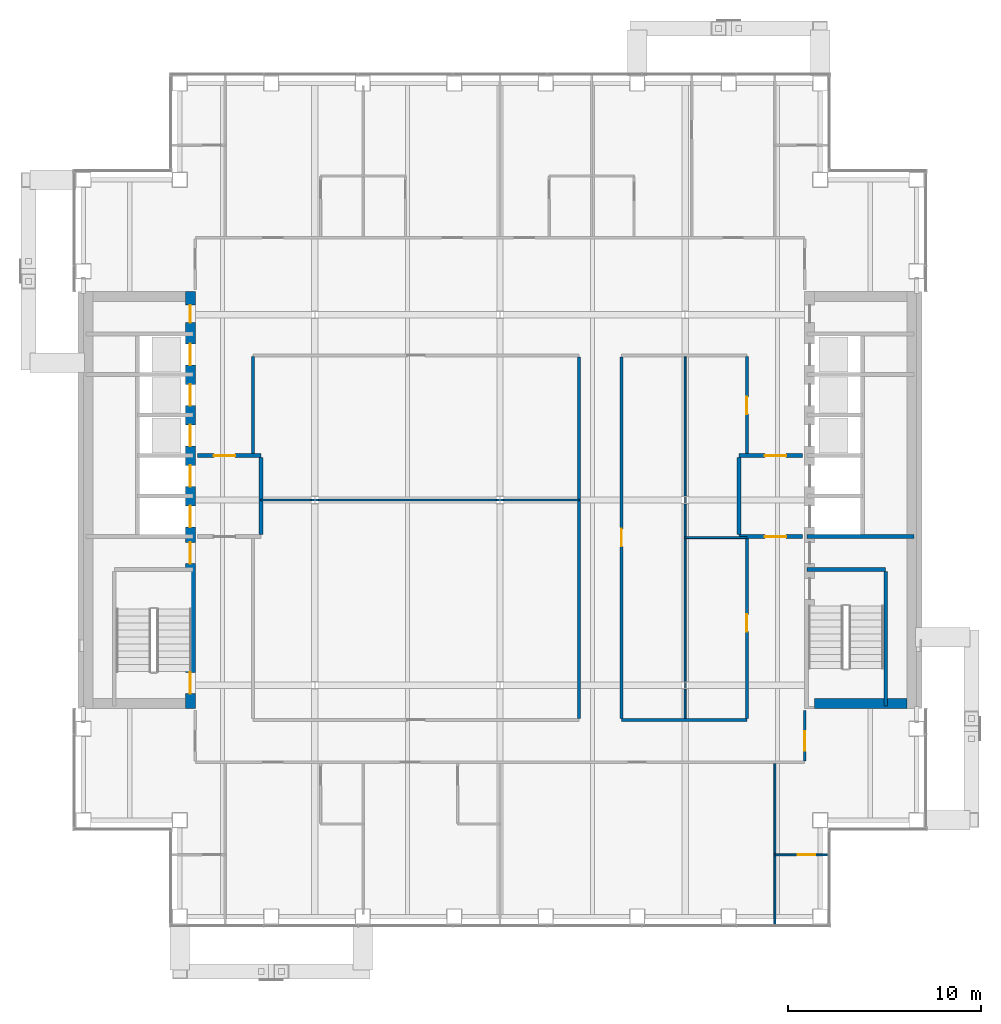
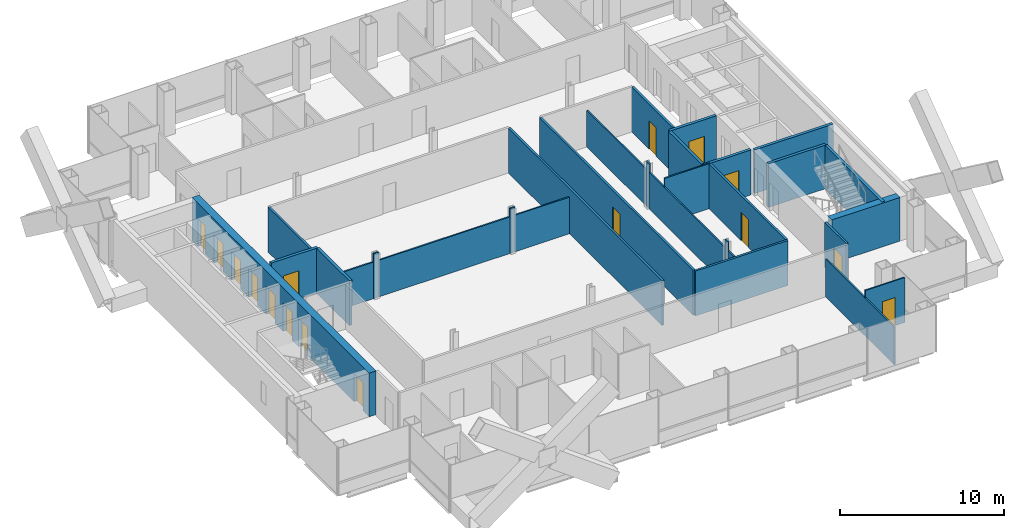
# One storey, part 10 of 14: 30 walls, 16 doors, 16 openings.
"""IFC4 building model written with IfcOpenShell, lengths in metres."""

from ifc_helpers import new_model, si_unit, direction, frame, frame_2d, origin, place, context, subcontext, project, spatial, rectangle, extrude, material, layer, layer_set, type_object, element, fill, save


model = new_model("IFC4")

# Units and contexts
model_context = context("Model", 3, precision=1e-05, world=origin(), true_north=direction((0.0, 1.0)))
body_context = subcontext(model_context, "Body", "Model", "MODEL_VIEW")
ifc_project = project(units=[si_unit("LENGTHUNIT", "METRE"), si_unit("AREAUNIT", "SQUARE_METRE"), si_unit("VOLUMEUNIT", "CUBIC_METRE"), si_unit("PLANEANGLEUNIT", "RADIAN"), si_unit("MASSUNIT", "GRAM", prefix="KILO")], contexts=[model_context])

# Site, building, storey
site_placement = place(None, origin())
site = spatial("IfcSite", under=ifc_project, at=site_placement, CompositionType="ELEMENT")
building_placement = place(site_placement, origin())
building = spatial("IfcBuilding", under=site, at=building_placement, Name="Cobrizo Arcos Hotel Tower", CompositionType="ELEMENT")
storey_placement = place(building_placement, frame((0.0, 0.0, 179.5)))
storey = spatial("IfcBuildingStorey", under=building, at=storey_placement, Name="L46", CompositionType="ELEMENT", Elevation=179.5)

# Walls
ifc_material_1 = material(Name="Gypsum board partition")
ifc_layer_1 = layer(ifc_material_1, 0.14990234375)
ifc_layer_set_1 = layer_set([ifc_layer_1], Name="Corridor wall EI 60 150")
wall_type_1 = type_object("IfcWallType", Name="Corridor wall EI 60 150", PredefinedType="PARTITIONING", material=ifc_layer_set_1)
wall_1_placement = place(storey_placement, frame((6.300048828125, -11.39990234375, 0.0), z_axis=(0.0, 0.0, 1.0), x_axis=(1.0, 0.0, 0.0)))
element("IfcWall", 1, at=wall_1_placement, inside=storey, type_object=wall_type_1, Name="Partition 007", PredefinedType="PARTITIONING", context=body_context, shape_type="SweptSolid", body=[
    extrude(rectangle(XDim=6.5, YDim=0.14990234375, at=frame_2d((3.25, 0.0))), origin(), (0.0, 0.0, 1.0), 3.35009765625),
])
wall_2_placement = place(storey_placement, frame((-12.800048828125, 2.39990234375, 0.0), z_axis=(0.0, 0.0, 1.0), x_axis=(0.0, 1.0, 0.0)))
element("IfcWall", 2, at=wall_2_placement, inside=storey, type_object=wall_type_1, Name="Partition 048", PredefinedType="PARTITIONING", context=body_context, shape_type="SweptSolid", body=[
    extrude(rectangle(XDim=5.050048828125, YDim=0.14990234375, at=frame_2d((2.52490234375, 0.0))), origin(), (0.0, 0.0, 1.0), 3.35009765625),
])
wall_3_placement = place(storey_placement, frame((4.10009765625, -11.324951171875, 0.0), z_axis=(0.0, 0.0, 1.0), x_axis=(0.0, 1.0, 0.0)))
element("IfcWall", 3, at=wall_3_placement, inside=storey, type_object=wall_type_1, Name="Partition 060", PredefinedType="PARTITIONING", context=body_context, shape_type="SweptSolid", body=[
    extrude(rectangle(XDim=18.75, YDim=0.14990234375, at=frame_2d((9.375, 0.0))), origin(), (0.0, 0.0, 1.0), 3.35009765625),
])

# Wall, opening, door
wall_4_placement = place(storey_placement, frame((6.300048828125, -11.324951171875, 0.0), z_axis=(0.0, 0.0, 1.0), x_axis=(0.0, 1.0, 0.0)))
wall_4 = element("IfcWall", 4, at=wall_4_placement, inside=storey, type_object=wall_type_1, Name="Partition 063", PredefinedType="PARTITIONING", context=body_context, shape_type="SweptSolid", body=[
    extrude(rectangle(XDim=18.75, YDim=0.14990234375, at=frame_2d((9.375, 0.0))), origin(), (0.0, 0.0, 1.0), 3.35009765625),
])
opening_1_placement = place(wall_4_placement, frame((8.925048828125, 0.0, 0.0)))
opening_1 = element("IfcOpeningElement", 5, at=opening_1_placement, cuts=wall_4, Name="Opening RD-05", PredefinedType="OPENING", context=body_context, shape_type="SweptSolid", body=[
    extrude(rectangle(XDim=0.89990234375, YDim=2.10009765625, at=frame_2d((0.449951171875, 1.050048828125))), frame((0.0, 0.0869140625, 0.0), z_axis=(0.0, -1.0, 0.0), x_axis=(1.0, 0.0, 0.0)), (0.0, 0.0, 1.0), 0.173828125),
])
ifc_material_2 = material(Name="Timber door leaf", Category="wood")
door_type_1 = type_object("IfcDoorType", Name="Room door FD30 900x2100", OperationType="SINGLE_SWING_LEFT", PredefinedType="DOOR", material=ifc_material_2)
door_1_placement = place(opening_1_placement, origin())
door_1 = element("IfcDoor", 6, at=door_1_placement, inside=storey, type_object=door_type_1, Name="Door RD-05", OperationType="SINGLE_SWING_RIGHT", OverallHeight=2.10009765625, OverallWidth=0.89990234375, PredefinedType="DOOR", context=body_context, shape_type="SweptSolid", body=[
    extrude(rectangle(XDim=0.89990234375, YDim=2.10009765625, at=frame_2d((0.449951171875, 1.050048828125))), frame((0.0, 0.02490234375, 0.0), z_axis=(0.0, -1.0, 0.0), x_axis=(1.0, 0.0, 0.0)), (0.0, 0.0, 1.0), 0.050048828125),
])
fill(opening_1, door_1)

wall_5_placement = place(storey_placement, frame((12.800048828125, -11.324951171875, 0.0), z_axis=(0.0, 0.0, 1.0), x_axis=(0.0, 1.0, 0.0)))
wall_5 = element("IfcWall", 7, at=wall_5_placement, inside=storey, type_object=wall_type_1, Name="Partition 072", PredefinedType="PARTITIONING", context=body_context, shape_type="SweptSolid", body=[
    extrude(rectangle(XDim=9.324951171875, YDim=0.14990234375, at=frame_2d((4.66259765625, 0.0))), origin(), (0.0, 0.0, 1.0), 3.35009765625),
])
opening_2_placement = place(wall_5_placement, frame((4.5, 0.0, 0.0)))
opening_2 = element("IfcOpeningElement", 8, at=opening_2_placement, cuts=wall_5, Name="Opening ED-11", PredefinedType="OPENING", context=body_context, shape_type="SweptSolid", body=[
    extrude(rectangle(XDim=0.89990234375, YDim=2.10009765625, at=frame_2d((0.449951171875, 1.050048828125))), frame((0.0, 0.0869140625, 0.0), z_axis=(0.0, -1.0, 0.0), x_axis=(1.0, 0.0, 0.0)), (0.0, 0.0, 1.0), 0.173828125),
])
door_type_2 = type_object("IfcDoorType", Name="En-suite door 900x2100", OperationType="SINGLE_SWING_LEFT", PredefinedType="DOOR", material=ifc_material_2)
door_2_placement = place(opening_2_placement, origin())
door_2 = element("IfcDoor", 9, at=door_2_placement, inside=storey, type_object=door_type_2, Name="Door ED-11", OperationType="SINGLE_SWING_LEFT", OverallHeight=2.10009765625, OverallWidth=0.89990234375, PredefinedType="DOOR", context=body_context, shape_type="SweptSolid", body=[
    extrude(rectangle(XDim=0.89990234375, YDim=2.10009765625, at=frame_2d((0.449951171875, 1.050048828125))), frame((0.0, 0.02490234375, 0.0), z_axis=(0.0, -1.0, 0.0), x_axis=(1.0, 0.0, 0.0)), (0.0, 0.0, 1.0), 0.050048828125),
])
fill(opening_2, door_2)

wall_6_placement = place(storey_placement, frame((12.800048828125, 2.39990234375, 0.0), z_axis=(0.0, 0.0, 1.0), x_axis=(0.0, 1.0, 0.0)))
wall_6 = element("IfcWall", 10, at=wall_6_placement, inside=storey, type_object=wall_type_1, Name="Partition 073", PredefinedType="PARTITIONING", context=body_context, shape_type="SweptSolid", body=[
    extrude(rectangle(XDim=5.050048828125, YDim=0.14990234375, at=frame_2d((2.52490234375, 0.0))), origin(), (0.0, 0.0, 1.0), 3.35009765625),
])
opening_3_placement = place(wall_6_placement, frame((2.050048828125, 0.0, 0.0)))
opening_3 = element("IfcOpeningElement", 11, at=opening_3_placement, cuts=wall_6, Name="Opening ED-12", PredefinedType="OPENING", context=body_context, shape_type="SweptSolid", body=[
    extrude(rectangle(XDim=0.89990234375, YDim=2.10009765625, at=frame_2d((0.449951171875, 1.050048828125))), frame((0.0, 0.0869140625, 0.0), z_axis=(0.0, -1.0, 0.0), x_axis=(1.0, 0.0, 0.0)), (0.0, 0.0, 1.0), 0.173828125),
])
door_3_placement = place(opening_3_placement, origin())
door_3 = element("IfcDoor", 12, at=door_3_placement, inside=storey, type_object=door_type_2, Name="Door ED-12", OperationType="SINGLE_SWING_LEFT", OverallHeight=2.10009765625, OverallWidth=0.89990234375, PredefinedType="DOOR", context=body_context, shape_type="SweptSolid", body=[
    extrude(rectangle(XDim=0.89990234375, YDim=2.10009765625, at=frame_2d((0.449951171875, 1.050048828125))), frame((0.0, 0.02490234375, 0.0), z_axis=(0.0, -1.0, 0.0), x_axis=(1.0, 0.0, 0.0)), (0.0, 0.0, 1.0), 0.050048828125),
])
fill(opening_3, door_3)

wall_7_placement = place(storey_placement, frame((15.800048828125, -13.52490234375, 0.0), z_axis=(0.0, 0.0, 1.0), x_axis=(0.0, 1.0, 0.0)))
wall_7 = element("IfcWall", 13, at=wall_7_placement, inside=storey, type_object=wall_type_1, Name="Partition 076", PredefinedType="PARTITIONING", context=body_context, shape_type="SweptSolid", body=[
    extrude(rectangle(XDim=2.60498046875, YDim=0.14990234375, at=frame_2d((1.302490234375, 0.0))), origin(), (0.0, 0.0, 1.0), 3.35009765625),
])
opening_4_placement = place(wall_7_placement, frame((0.52490234375, 0.0, 0.0)))
opening_4 = element("IfcOpeningElement", 14, at=opening_4_placement, cuts=wall_7, Name="Opening GD-09", PredefinedType="OPENING", context=body_context, shape_type="SweptSolid", body=[
    extrude(rectangle(XDim=1.0, YDim=2.10009765625, at=frame_2d((0.5, 1.050048828125))), frame((0.0, 0.0869140625, 0.0), z_axis=(0.0, -1.0, 0.0), x_axis=(1.0, 0.0, 0.0)), (0.0, 0.0, 1.0), 0.173828125),
])
door_type_3 = type_object("IfcDoorType", Name="Guest room door FD30S 1000x2100", OperationType="SINGLE_SWING_LEFT", PredefinedType="DOOR", material=ifc_material_2)
door_4_placement = place(opening_4_placement, origin())
door_4 = element("IfcDoor", 15, at=door_4_placement, inside=storey, type_object=door_type_3, Name="Door GD-09", OperationType="SINGLE_SWING_LEFT", OverallHeight=2.10009765625, OverallWidth=1.0, PredefinedType="DOOR", context=body_context, shape_type="SweptSolid", body=[
    extrude(rectangle(XDim=1.0, YDim=2.10009765625, at=frame_2d((0.5, 1.050048828125))), frame((0.0, 0.02490234375, 0.0), z_axis=(0.0, -1.0, 0.0), x_axis=(1.0, 0.0, 0.0)), (0.0, 0.0, 1.0), 0.050048828125),
])
fill(opening_4, door_4)

ifc_layer_2 = layer(ifc_material_1, 0.10009765625)
ifc_layer_set_2 = layer_set([ifc_layer_2], Name="Partition EI 30 100")
wall_type_2 = type_object("IfcWallType", Name="Partition EI 30 100", PredefinedType="PARTITIONING", material=ifc_layer_set_2)
wall_8_placement = place(storey_placement, frame((14.25, -18.39990234375, 0.0), z_axis=(0.0, 0.0, 1.0), x_axis=(1.0, 0.0, 0.0)))
wall_8 = element("IfcWall", 16, at=wall_8_placement, inside=storey, type_object=wall_type_2, Name="Partition 002", PredefinedType="PARTITIONING", context=body_context, shape_type="SweptSolid", body=[
    extrude(rectangle(XDim=2.780029296875, YDim=0.10009765625, at=frame_2d((1.39013671875, 0.0))), origin(), (0.0, 0.0, 1.0), 3.35009765625),
])
opening_5_placement = place(wall_8_placement, frame((1.18896484375, 0.0, 0.0)))
opening_5 = element("IfcOpeningElement", 17, at=opening_5_placement, cuts=wall_8, Name="Opening ED-09", PredefinedType="OPENING", context=body_context, shape_type="SweptSolid", body=[
    extrude(rectangle(XDim=0.89990234375, YDim=2.10009765625, at=frame_2d((0.449951171875, 1.050048828125))), frame((0.0, 0.06201171875, 0.0), z_axis=(0.0, -1.0, 0.0), x_axis=(1.0, 0.0, 0.0)), (0.0, 0.0, 1.0), 0.1240234375),
])
door_5_placement = place(opening_5_placement, origin())
door_5 = element("IfcDoor", 18, at=door_5_placement, inside=storey, type_object=door_type_2, Name="Door ED-09", OperationType="SINGLE_SWING_RIGHT", OverallHeight=2.10009765625, OverallWidth=0.89990234375, PredefinedType="DOOR", context=body_context, shape_type="SweptSolid", body=[
    extrude(rectangle(XDim=0.89990234375, YDim=2.10009765625, at=frame_2d((0.449951171875, 1.050048828125))), frame((0.0, 0.02490234375, 0.0), z_axis=(0.0, -1.0, 0.0), x_axis=(1.0, 0.0, 0.0)), (0.0, 0.0, 1.0), 0.050048828125),
])
fill(opening_5, door_5)

# Walls
wall_9_placement = place(storey_placement, frame((9.60009765625, -1.949951171875, 0.0), z_axis=(0.0, 0.0, 1.0), x_axis=(1.0, 0.0, 0.0)))
element("IfcWall", 19, at=wall_9_placement, inside=storey, type_object=wall_type_2, Name="Partition 010", PredefinedType="PARTITIONING", context=body_context, shape_type="SweptSolid", body=[
    extrude(rectangle(XDim=3.199951171875, YDim=0.10009765625, at=frame_2d((1.60009765625, 0.0))), origin(), (0.0, 0.0, 1.0), 3.35009765625),
])
wall_10_placement = place(storey_placement, frame((-12.39990234375, 0.0, 0.0), z_axis=(0.0, 0.0, 1.0), x_axis=(1.0, 0.0, 0.0)))
element("IfcWall", 20, at=wall_10_placement, inside=storey, type_object=wall_type_2, Name="Partition 015", PredefinedType="PARTITIONING", context=body_context, shape_type="SweptSolid", body=[
    extrude(rectangle(XDim=2.61279296875, YDim=0.10009765625, at=frame_2d((1.306396484375, 0.0))), origin(), (0.0, 0.0, 1.0), 2.72802734375),
])
wall_11_placement = place(storey_placement, frame((-9.787109375, 0.0, 0.0), z_axis=(0.0, 0.0, 1.0), x_axis=(1.0, 0.0, 0.0)))
element("IfcWall", 21, at=wall_11_placement, inside=storey, type_object=wall_type_2, Name="Partition 016", PredefinedType="PARTITIONING", context=body_context, shape_type="SweptSolid", body=[
    extrude(rectangle(XDim=0.3740234375, YDim=0.10009765625, at=frame_2d((0.18701171875, 0.0))), origin(), (0.0, 0.0, 1.0), 3.35009765625),
])
wall_12_placement = place(storey_placement, frame((-9.4130859375, 0.0, 0.0), z_axis=(0.0, 0.0, 1.0), x_axis=(1.0, 0.0, 0.0)))
element("IfcWall", 22, at=wall_12_placement, inside=storey, type_object=wall_type_2, Name="Partition 017", PredefinedType="PARTITIONING", context=body_context, shape_type="SweptSolid", body=[
    extrude(rectangle(XDim=9.22607421875, YDim=0.10009765625, at=frame_2d((4.613037109375, 0.0))), origin(), (0.0, 0.0, 1.0), 2.72802734375),
])
wall_13_placement = place(storey_placement, frame((-0.18701171875, 0.0, 0.0), z_axis=(0.0, 0.0, 1.0), x_axis=(1.0, 0.0, 0.0)))
element("IfcWall", 23, at=wall_13_placement, inside=storey, type_object=wall_type_2, Name="Partition 018", PredefinedType="PARTITIONING", context=body_context, shape_type="SweptSolid", body=[
    extrude(rectangle(XDim=0.3740234375, YDim=0.10009765625, at=frame_2d((0.18701171875, 0.0))), origin(), (0.0, 0.0, 1.0), 3.35009765625),
])
wall_14_placement = place(storey_placement, frame((0.18701171875, 0.0, 0.0), z_axis=(0.0, 0.0, 1.0), x_axis=(1.0, 0.0, 0.0)))
element("IfcWall", 24, at=wall_14_placement, inside=storey, type_object=wall_type_2, Name="Partition 019", PredefinedType="PARTITIONING", context=body_context, shape_type="SweptSolid", body=[
    extrude(rectangle(XDim=3.9130859375, YDim=0.10009765625, at=frame_2d((1.95654296875, 0.0))), origin(), (0.0, 0.0, 1.0), 2.72802734375),
])
wall_15_placement = place(storey_placement, frame((9.60009765625, -11.324951171875, 0.0), z_axis=(0.0, 0.0, 1.0), x_axis=(0.0, 1.0, 0.0)))
element("IfcWall", 25, at=wall_15_placement, inside=storey, type_object=wall_type_2, Name="Partition 065", PredefinedType="PARTITIONING", context=body_context, shape_type="SweptSolid", body=[
    extrude(rectangle(XDim=1.537841796875, YDim=0.10009765625, at=frame_2d((0.76904296875, 0.0))), origin(), (0.0, 0.0, 1.0), 2.72802734375),
])
wall_16_placement = place(storey_placement, frame((9.60009765625, -9.787109375, 0.0), z_axis=(0.0, 0.0, 1.0), x_axis=(0.0, 1.0, 0.0)))
element("IfcWall", 26, at=wall_16_placement, inside=storey, type_object=wall_type_2, Name="Partition 066", PredefinedType="PARTITIONING", context=body_context, shape_type="SweptSolid", body=[
    extrude(rectangle(XDim=0.3740234375, YDim=0.10009765625, at=frame_2d((0.18701171875, 0.0))), origin(), (0.0, 0.0, 1.0), 3.35009765625),
])
wall_17_placement = place(storey_placement, frame((9.60009765625, -9.4130859375, 0.0), z_axis=(0.0, 0.0, 1.0), x_axis=(0.0, 1.0, 0.0)))
element("IfcWall", 27, at=wall_17_placement, inside=storey, type_object=wall_type_2, Name="Partition 067", PredefinedType="PARTITIONING", context=body_context, shape_type="SweptSolid", body=[
    extrude(rectangle(XDim=9.22607421875, YDim=0.10009765625, at=frame_2d((4.613037109375, 0.0))), origin(), (0.0, 0.0, 1.0), 2.72802734375),
])
wall_18_placement = place(storey_placement, frame((9.60009765625, -0.18701171875, 0.0), z_axis=(0.0, 0.0, 1.0), x_axis=(0.0, 1.0, 0.0)))
element("IfcWall", 28, at=wall_18_placement, inside=storey, type_object=wall_type_2, Name="Partition 068", PredefinedType="PARTITIONING", context=body_context, shape_type="SweptSolid", body=[
    extrude(rectangle(XDim=0.3740234375, YDim=0.10009765625, at=frame_2d((0.18701171875, 0.0))), origin(), (0.0, 0.0, 1.0), 3.35009765625),
])
wall_19_placement = place(storey_placement, frame((9.60009765625, 0.18701171875, 0.0), z_axis=(0.0, 0.0, 1.0), x_axis=(0.0, 1.0, 0.0)))
element("IfcWall", 29, at=wall_19_placement, inside=storey, type_object=wall_type_2, Name="Partition 069", PredefinedType="PARTITIONING", context=body_context, shape_type="SweptSolid", body=[
    extrude(rectangle(XDim=7.238037109375, YDim=0.10009765625, at=frame_2d((3.619140625, 0.0))), origin(), (0.0, 0.0, 1.0), 2.72802734375),
])
wall_20_placement = place(storey_placement, frame((14.25, -22.030029296875, 0.0), z_axis=(0.0, 0.0, 1.0), x_axis=(0.0, 1.0, 0.0)))
element("IfcWall", 30, at=wall_20_placement, inside=storey, type_object=wall_type_2, Name="Partition 074", PredefinedType="PARTITIONING", context=body_context, shape_type="SweptSolid", body=[
    extrude(rectangle(XDim=8.35498046875, YDim=0.10009765625, at=frame_2d((4.177490234375, 0.0))), origin(), (0.0, 0.0, 1.0), 2.81689453125),
])
ifc_material_3 = material(Name="Concrete f'c 50 MPa", Category="concrete")
ifc_layer_3 = layer(ifc_material_3, 0.5)
ifc_layer_set_3 = layer_set([ifc_layer_3], Name="RC core wall 500 f'c 50")
wall_type_3 = type_object("IfcWallType", Name="RC core wall 500 f'c 50", PredefinedType="SHEAR", material=ifc_layer_set_3)
wall_21_placement = place(storey_placement, frame((16.300048828125, -10.550048828125, 0.0), z_axis=(0.0, 0.0, 1.0), x_axis=(1.0, 0.0, 0.0)))
element("IfcWall", 31, at=wall_21_placement, inside=storey, type_object=wall_type_3, Name="Core wall CW3, east core, south end, L46", PredefinedType="SHEAR", context=body_context, shape_type="SweptSolid", body=[
    extrude(rectangle(XDim=4.800048828125, YDim=0.5, at=frame_2d((2.39990234375, 0.0))), origin(), (0.0, 0.0, 1.0), 3.25),
])

# Wall, openings, doors
wall_22_placement = place(storey_placement, frame((-16.050048828125, -10.800048828125, 0.0), z_axis=(0.0, 0.0, 1.0), x_axis=(0.0, 1.0, 0.0)))
wall_22 = element("IfcWall", 32, at=wall_22_placement, inside=storey, type_object=wall_type_3, Name="Core wall CW3, west core, inner face, L46", PredefinedType="SHEAR", context=body_context, shape_type="SweptSolid", body=[
    extrude(rectangle(XDim=21.60009765625, YDim=0.5, at=frame_2d((10.800048828125, 0.0))), origin(), (0.0, 0.0, 1.0), 3.25),
])
opening_6_placement = place(wall_22_placement, frame((9.39990234375, 0.0, 0.0)))
opening_6 = element("IfcOpeningElement", 33, at=opening_6_placement, cuts=wall_22, Name="Opening LD-01", PredefinedType="OPENING", context=body_context, shape_type="SweptSolid", body=[
    extrude(rectangle(XDim=1.10009765625, YDim=2.10009765625, at=frame_2d((0.550048828125, 1.050048828125))), frame((0.0, 0.261962890625, 0.0), z_axis=(0.0, -1.0, 0.0), x_axis=(1.0, 0.0, 0.0)), (0.0, 0.0, 1.0), 0.52392578125),
])
opening_7_placement = place(wall_22_placement, frame((11.5, 0.0, 0.0)))
opening_7 = element("IfcOpeningElement", 34, at=opening_7_placement, cuts=wall_22, Name="Opening LD-02", PredefinedType="OPENING", context=body_context, shape_type="SweptSolid", body=[
    extrude(rectangle(XDim=1.10009765625, YDim=2.10009765625, at=frame_2d((0.550048828125, 1.050048828125))), frame((0.0, 0.261962890625, 0.0), z_axis=(0.0, -1.0, 0.0), x_axis=(1.0, 0.0, 0.0)), (0.0, 0.0, 1.0), 0.52392578125),
])
opening_8_placement = place(wall_22_placement, frame((13.60009765625, 0.0, 0.0)))
opening_8 = element("IfcOpeningElement", 35, at=opening_8_placement, cuts=wall_22, Name="Opening LD-03", PredefinedType="OPENING", context=body_context, shape_type="SweptSolid", body=[
    extrude(rectangle(XDim=1.10009765625, YDim=2.10009765625, at=frame_2d((0.550048828125, 1.050048828125))), frame((0.0, 0.261962890625, 0.0), z_axis=(0.0, -1.0, 0.0), x_axis=(1.0, 0.0, 0.0)), (0.0, 0.0, 1.0), 0.52392578125),
])
opening_9_placement = place(wall_22_placement, frame((15.699951171875, 0.0, 0.0)))
opening_9 = element("IfcOpeningElement", 36, at=opening_9_placement, cuts=wall_22, Name="Opening LD-04", PredefinedType="OPENING", context=body_context, shape_type="SweptSolid", body=[
    extrude(rectangle(XDim=1.10009765625, YDim=2.10009765625, at=frame_2d((0.550048828125, 1.050048828125))), frame((0.0, 0.261962890625, 0.0), z_axis=(0.0, -1.0, 0.0), x_axis=(1.0, 0.0, 0.0)), (0.0, 0.0, 1.0), 0.52392578125),
])
opening_10_placement = place(wall_22_placement, frame((17.800048828125, 0.0, 0.0)))
opening_10 = element("IfcOpeningElement", 37, at=opening_10_placement, cuts=wall_22, Name="Opening LD-05", PredefinedType="OPENING", context=body_context, shape_type="SweptSolid", body=[
    extrude(rectangle(XDim=1.10009765625, YDim=2.10009765625, at=frame_2d((0.550048828125, 1.050048828125))), frame((0.0, 0.261962890625, 0.0), z_axis=(0.0, -1.0, 0.0), x_axis=(1.0, 0.0, 0.0)), (0.0, 0.0, 1.0), 0.52392578125),
])
opening_11_placement = place(wall_22_placement, frame((0.758056640625, 0.0, 0.0)))
opening_11 = element("IfcOpeningElement", 38, at=opening_11_placement, cuts=wall_22, Name="Opening SD-01", PredefinedType="OPENING", context=body_context, shape_type="SweptSolid", body=[
    extrude(rectangle(XDim=1.10009765625, YDim=2.10009765625, at=frame_2d((0.550048828125, 1.050048828125))), frame((0.0, 0.261962890625, 0.0), z_axis=(0.0, -1.0, 0.0), x_axis=(1.0, 0.0, 0.0)), (0.0, 0.0, 1.0), 0.52392578125),
])
opening_12_placement = place(wall_22_placement, frame((7.5, 0.0, 0.0)))
opening_12 = element("IfcOpeningElement", 39, at=opening_12_placement, cuts=wall_22, Name="Opening FD-01", PredefinedType="OPENING", context=body_context, shape_type="SweptSolid", body=[
    extrude(rectangle(XDim=1.10009765625, YDim=2.10009765625, at=frame_2d((0.550048828125, 1.050048828125))), frame((0.0, 0.261962890625, 0.0), z_axis=(0.0, -1.0, 0.0), x_axis=(1.0, 0.0, 0.0)), (0.0, 0.0, 1.0), 0.52392578125),
])
opening_13_placement = place(wall_22_placement, frame((20.0, 0.0, 0.0)))
opening_13 = element("IfcOpeningElement", 40, at=opening_13_placement, cuts=wall_22, Name="Opening RD-01", PredefinedType="OPENING", context=body_context, shape_type="SweptSolid", body=[
    extrude(rectangle(XDim=0.89990234375, YDim=2.10009765625, at=frame_2d((0.449951171875, 1.050048828125))), frame((0.0, 0.261962890625, 0.0), z_axis=(0.0, -1.0, 0.0), x_axis=(1.0, 0.0, 0.0)), (0.0, 0.0, 1.0), 0.52392578125),
])
ifc_material_4 = material(Name="Steel door leaf", Category="steel")
door_type_4 = type_object("IfcDoorType", Name="Fire door FD60 1100x2100", OperationType="SINGLE_SWING_LEFT", PredefinedType="DOOR", material=ifc_material_4)
door_6_placement = place(opening_12_placement, origin())
door_6 = element("IfcDoor", 41, at=door_6_placement, inside=storey, type_object=door_type_4, Name="Door FD-01", OperationType="SINGLE_SWING_RIGHT", OverallHeight=2.10009765625, OverallWidth=1.10009765625, PredefinedType="DOOR", context=body_context, shape_type="SweptSolid", body=[
    extrude(rectangle(XDim=1.10009765625, YDim=2.10009765625, at=frame_2d((0.550048828125, 1.050048828125))), frame((0.0, 0.02490234375, 0.0), z_axis=(0.0, -1.0, 0.0), x_axis=(1.0, 0.0, 0.0)), (0.0, 0.0, 1.0), 0.050048828125),
])
fill(opening_12, door_6)
door_type_5 = type_object("IfcDoorType", Name="Lift landing door 1100x2100", OperationType="SLIDING_TO_LEFT", PredefinedType="DOOR", material=ifc_material_4)
door_7_placement = place(opening_6_placement, origin())
door_7 = element("IfcDoor", 42, at=door_7_placement, inside=storey, type_object=door_type_5, Name="Lift landing door LD-01", OperationType="SLIDING_TO_LEFT", OverallHeight=2.10009765625, OverallWidth=1.10009765625, PredefinedType="DOOR", context=body_context, shape_type="SweptSolid", body=[
    extrude(rectangle(XDim=1.10009765625, YDim=2.10009765625, at=frame_2d((0.550048828125, 1.050048828125))), frame((0.0, 0.02490234375, 0.0), z_axis=(0.0, -1.0, 0.0), x_axis=(1.0, 0.0, 0.0)), (0.0, 0.0, 1.0), 0.050048828125),
])
fill(opening_6, door_7)
door_8_placement = place(opening_7_placement, origin())
door_8 = element("IfcDoor", 43, at=door_8_placement, inside=storey, type_object=door_type_5, Name="Lift landing door LD-02", OperationType="SLIDING_TO_LEFT", OverallHeight=2.10009765625, OverallWidth=1.10009765625, PredefinedType="DOOR", context=body_context, shape_type="SweptSolid", body=[
    extrude(rectangle(XDim=1.10009765625, YDim=2.10009765625, at=frame_2d((0.550048828125, 1.050048828125))), frame((0.0, 0.02490234375, 0.0), z_axis=(0.0, -1.0, 0.0), x_axis=(1.0, 0.0, 0.0)), (0.0, 0.0, 1.0), 0.050048828125),
])
fill(opening_7, door_8)
door_9_placement = place(opening_8_placement, origin())
door_9 = element("IfcDoor", 44, at=door_9_placement, inside=storey, type_object=door_type_5, Name="Lift landing door LD-03", OperationType="SLIDING_TO_LEFT", OverallHeight=2.10009765625, OverallWidth=1.10009765625, PredefinedType="DOOR", context=body_context, shape_type="SweptSolid", body=[
    extrude(rectangle(XDim=1.10009765625, YDim=2.10009765625, at=frame_2d((0.550048828125, 1.050048828125))), frame((0.0, 0.02490234375, 0.0), z_axis=(0.0, -1.0, 0.0), x_axis=(1.0, 0.0, 0.0)), (0.0, 0.0, 1.0), 0.050048828125),
])
fill(opening_8, door_9)
door_10_placement = place(opening_9_placement, origin())
door_10 = element("IfcDoor", 45, at=door_10_placement, inside=storey, type_object=door_type_5, Name="Lift landing door LD-04", OperationType="SLIDING_TO_LEFT", OverallHeight=2.10009765625, OverallWidth=1.10009765625, PredefinedType="DOOR", context=body_context, shape_type="SweptSolid", body=[
    extrude(rectangle(XDim=1.10009765625, YDim=2.10009765625, at=frame_2d((0.550048828125, 1.050048828125))), frame((0.0, 0.02490234375, 0.0), z_axis=(0.0, -1.0, 0.0), x_axis=(1.0, 0.0, 0.0)), (0.0, 0.0, 1.0), 0.050048828125),
])
fill(opening_9, door_10)
door_11_placement = place(opening_10_placement, origin())
door_11 = element("IfcDoor", 46, at=door_11_placement, inside=storey, type_object=door_type_5, Name="Lift landing door LD-05", OperationType="SLIDING_TO_LEFT", OverallHeight=2.10009765625, OverallWidth=1.10009765625, PredefinedType="DOOR", context=body_context, shape_type="SweptSolid", body=[
    extrude(rectangle(XDim=1.10009765625, YDim=2.10009765625, at=frame_2d((0.550048828125, 1.050048828125))), frame((0.0, 0.02490234375, 0.0), z_axis=(0.0, -1.0, 0.0), x_axis=(1.0, 0.0, 0.0)), (0.0, 0.0, 1.0), 0.050048828125),
])
fill(opening_10, door_11)
door_12_placement = place(opening_13_placement, origin())
door_12 = element("IfcDoor", 47, at=door_12_placement, inside=storey, type_object=door_type_1, Name="Door RD-01", OperationType="SINGLE_SWING_RIGHT", OverallHeight=2.10009765625, OverallWidth=0.89990234375, PredefinedType="DOOR", context=body_context, shape_type="SweptSolid", body=[
    extrude(rectangle(XDim=0.89990234375, YDim=2.10009765625, at=frame_2d((0.449951171875, 1.050048828125))), frame((0.0, 0.02490234375, 0.0), z_axis=(0.0, -1.0, 0.0), x_axis=(1.0, 0.0, 0.0)), (0.0, 0.0, 1.0), 0.050048828125),
])
fill(opening_13, door_12)
door_type_6 = type_object("IfcDoorType", Name="Stair door FD60S 1100x2100", OperationType="SINGLE_SWING_LEFT", PredefinedType="DOOR", material=ifc_material_4)
door_13_placement = place(opening_11_placement, origin())
door_13 = element("IfcDoor", 48, at=door_13_placement, inside=storey, type_object=door_type_6, Name="Door SD-01", OperationType="SINGLE_SWING_RIGHT", OverallHeight=2.10009765625, OverallWidth=1.10009765625, PredefinedType="DOOR", context=body_context, shape_type="SweptSolid", body=[
    extrude(rectangle(XDim=1.10009765625, YDim=2.10009765625, at=frame_2d((0.550048828125, 1.050048828125))), frame((0.0, 0.02490234375, 0.0), z_axis=(0.0, -1.0, 0.0), x_axis=(1.0, 0.0, 0.0)), (0.0, 0.0, 1.0), 0.050048828125),
])
fill(opening_11, door_13)

# Wall, opening, door
ifc_layer_4 = layer(ifc_material_1, 0.199951171875)
ifc_layer_set_4 = layer_set([ifc_layer_4], Name="Shaft wall EI 120 200")
wall_type_4 = type_object("IfcWallType", Name="Shaft wall EI 120 200", PredefinedType="PARTITIONING", material=ifc_layer_set_4)
wall_23_placement = place(storey_placement, frame((12.39990234375, -1.89990234375, 0.0), z_axis=(0.0, 0.0, 1.0), x_axis=(1.0, 0.0, 0.0)))
wall_23 = element("IfcWall", 49, at=wall_23_placement, inside=storey, type_object=wall_type_4, Name="Partition 013", PredefinedType="PARTITIONING", context=body_context, shape_type="SweptSolid", body=[
    extrude(rectangle(XDim=3.280029296875, YDim=0.199951171875, at=frame_2d((1.64013671875, 0.0))), origin(), (0.0, 0.0, 1.0), 3.35009765625),
])
opening_14_placement = place(wall_23_placement, frame((1.340087890625, 0.0, 0.0)))
opening_14 = element("IfcOpeningElement", 50, at=opening_14_placement, cuts=wall_23, Name="Opening FD-06", PredefinedType="OPENING", context=body_context, shape_type="SweptSolid", body=[
    extrude(rectangle(XDim=1.10009765625, YDim=2.10009765625, at=frame_2d((0.550048828125, 1.050048828125))), frame((0.0, 0.112060546875, 0.0), z_axis=(0.0, -1.0, 0.0), x_axis=(1.0, 0.0, 0.0)), (0.0, 0.0, 1.0), 0.223876953125),
])
door_14_placement = place(opening_14_placement, origin())
door_14 = element("IfcDoor", 51, at=door_14_placement, inside=storey, type_object=door_type_4, Name="Door FD-06", OperationType="SINGLE_SWING_RIGHT", OverallHeight=2.10009765625, OverallWidth=1.10009765625, PredefinedType="DOOR", context=body_context, shape_type="SweptSolid", body=[
    extrude(rectangle(XDim=1.10009765625, YDim=2.10009765625, at=frame_2d((0.550048828125, 1.050048828125))), frame((0.0, 0.02490234375, 0.0), z_axis=(0.0, -1.0, 0.0), x_axis=(1.0, 0.0, 0.0)), (0.0, 0.0, 1.0), 0.050048828125),
])
fill(opening_14, door_14)

# Wall
wall_24_placement = place(storey_placement, frame((15.919921875, -1.89990234375, 0.0), z_axis=(0.0, 0.0, 1.0), x_axis=(1.0, 0.0, 0.0)))
element("IfcWall", 52, at=wall_24_placement, inside=storey, type_object=wall_type_4, Name="Partition 014", PredefinedType="PARTITIONING", context=body_context, shape_type="SweptSolid", body=[
    extrude(rectangle(XDim=5.56005859375, YDim=0.199951171875, at=frame_2d((2.780029296875, 0.0))), origin(), (0.0, 0.0, 1.0), 3.25),
])

# Wall, opening, door
wall_25_placement = place(storey_placement, frame((-15.679931640625, 2.300048828125, 0.0), z_axis=(0.0, 0.0, 1.0), x_axis=(1.0, 0.0, 0.0)))
wall_25 = element("IfcWall", 53, at=wall_25_placement, inside=storey, type_object=wall_type_4, Name="Partition 023", PredefinedType="PARTITIONING", context=body_context, shape_type="SweptSolid", body=[
    extrude(rectangle(XDim=3.280029296875, YDim=0.199951171875, at=frame_2d((1.64013671875, 0.0))), origin(), (0.0, 0.0, 1.0), 3.35009765625),
])
opening_15_placement = place(wall_25_placement, frame((0.840087890625, 0.0, 0.0)))
opening_15 = element("IfcOpeningElement", 54, at=opening_15_placement, cuts=wall_25, Name="Opening FD-02", PredefinedType="OPENING", context=body_context, shape_type="SweptSolid", body=[
    extrude(rectangle(XDim=1.10009765625, YDim=2.10009765625, at=frame_2d((0.550048828125, 1.050048828125))), frame((0.0, 0.112060546875, 0.0), z_axis=(0.0, -1.0, 0.0), x_axis=(1.0, 0.0, 0.0)), (0.0, 0.0, 1.0), 0.223876953125),
])
door_15_placement = place(opening_15_placement, origin())
door_15 = element("IfcDoor", 55, at=door_15_placement, inside=storey, type_object=door_type_4, Name="Door FD-02", OperationType="SINGLE_SWING_LEFT", OverallHeight=2.10009765625, OverallWidth=1.10009765625, PredefinedType="DOOR", context=body_context, shape_type="SweptSolid", body=[
    extrude(rectangle(XDim=1.10009765625, YDim=2.10009765625, at=frame_2d((0.550048828125, 1.050048828125))), frame((0.0, 0.02490234375, 0.0), z_axis=(0.0, -1.0, 0.0), x_axis=(1.0, 0.0, 0.0)), (0.0, 0.0, 1.0), 0.050048828125),
])
fill(opening_15, door_15)

wall_26_placement = place(storey_placement, frame((12.39990234375, 2.300048828125, 0.0), z_axis=(0.0, 0.0, 1.0), x_axis=(1.0, 0.0, 0.0)))
wall_26 = element("IfcWall", 56, at=wall_26_placement, inside=storey, type_object=wall_type_4, Name="Partition 024", PredefinedType="PARTITIONING", context=body_context, shape_type="SweptSolid", body=[
    extrude(rectangle(XDim=3.280029296875, YDim=0.199951171875, at=frame_2d((1.64013671875, 0.0))), origin(), (0.0, 0.0, 1.0), 3.35009765625),
])
opening_16_placement = place(wall_26_placement, frame((1.340087890625, 0.0, 0.0)))
opening_16 = element("IfcOpeningElement", 57, at=opening_16_placement, cuts=wall_26, Name="Opening FD-05", PredefinedType="OPENING", context=body_context, shape_type="SweptSolid", body=[
    extrude(rectangle(XDim=1.10009765625, YDim=2.10009765625, at=frame_2d((0.550048828125, 1.050048828125))), frame((0.0, 0.112060546875, 0.0), z_axis=(0.0, -1.0, 0.0), x_axis=(1.0, 0.0, 0.0)), (0.0, 0.0, 1.0), 0.223876953125),
])
door_16_placement = place(opening_16_placement, origin())
door_16 = element("IfcDoor", 58, at=door_16_placement, inside=storey, type_object=door_type_4, Name="Door FD-05", OperationType="SINGLE_SWING_RIGHT", OverallHeight=2.10009765625, OverallWidth=1.10009765625, PredefinedType="DOOR", context=body_context, shape_type="SweptSolid", body=[
    extrude(rectangle(XDim=1.10009765625, YDim=2.10009765625, at=frame_2d((0.550048828125, 1.050048828125))), frame((0.0, 0.02490234375, 0.0), z_axis=(0.0, -1.0, 0.0), x_axis=(1.0, 0.0, 0.0)), (0.0, 0.0, 1.0), 0.050048828125),
])
fill(opening_16, door_16)

# Walls
for number, where, z_axis, x_axis, name in (
    (59, (-12.39990234375, -1.800048828125, 0.0), (0.0, 0.0, 1.0), (0.0, 1.0, 0.0), "Partition 049"),
    (60, (12.39990234375, -1.800048828125, 0.0), (0.0, 0.0, 1.0), (0.0, 1.0, 0.0), "Partition 071"),
):
    element("IfcWall", number, at=place(storey_placement, frame(where, z_axis=z_axis, x_axis=x_axis)), inside=storey, type_object=wall_type_4, Name=name, PredefinedType="PARTITIONING", context=body_context, shape_type="SweptSolid", body=[
        extrude(rectangle(XDim=4.0, YDim=0.199951171875, at=frame_2d((2.0, 0.0))), origin(), (0.0, 0.0, 1.0), 3.35009765625),
    ])
ifc_material_5 = material(Name="Concrete f'c 40 MPa", Category="concrete")
ifc_layer_5 = layer(ifc_material_5, 0.199951171875)
ifc_layer_set_5 = layer_set([ifc_layer_5], Name="Stair shaft wall 200")
wall_type_5 = type_object("IfcWallType", Name="Stair shaft wall 200", PredefinedType="SHEAR", material=ifc_layer_set_5)
wall_27_placement = place(storey_placement, frame((15.919921875, -3.60009765625, 0.0), z_axis=(0.0, 0.0, 1.0), x_axis=(1.0, 0.0, 0.0)))
element("IfcWall", 61, at=wall_27_placement, inside=storey, type_object=wall_type_5, Name="Stair shaft wall E", PredefinedType="SHEAR", context=body_context, shape_type="SweptSolid", body=[
    extrude(rectangle(XDim=4.080078125, YDim=0.199951171875, at=frame_2d((2.0400390625, 0.0))), origin(), (0.0, 0.0, 1.0), 3.25),
])
wall_28_placement = place(storey_placement, frame((20.0, -10.679931640625, 0.0), z_axis=(0.0, 0.0, 1.0), x_axis=(0.0, 1.0, 0.0)))
element("IfcWall", 62, at=wall_28_placement, inside=storey, type_object=wall_type_5, Name="Stair shaft wall E", PredefinedType="SHEAR", context=body_context, shape_type="SweptSolid", body=[
    extrude(rectangle(XDim=6.97998046875, YDim=0.199951171875, at=frame_2d((3.489990234375, 0.0))), origin(), (0.0, 0.0, 1.0), 3.25),
])

save(model, "model.ifc")
